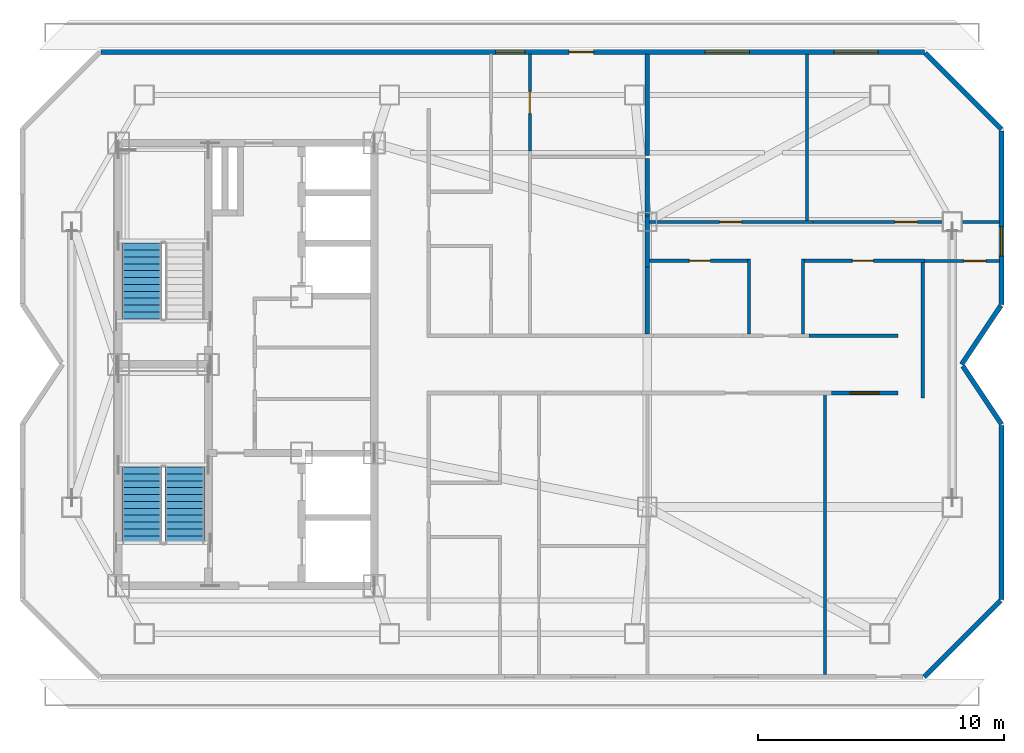
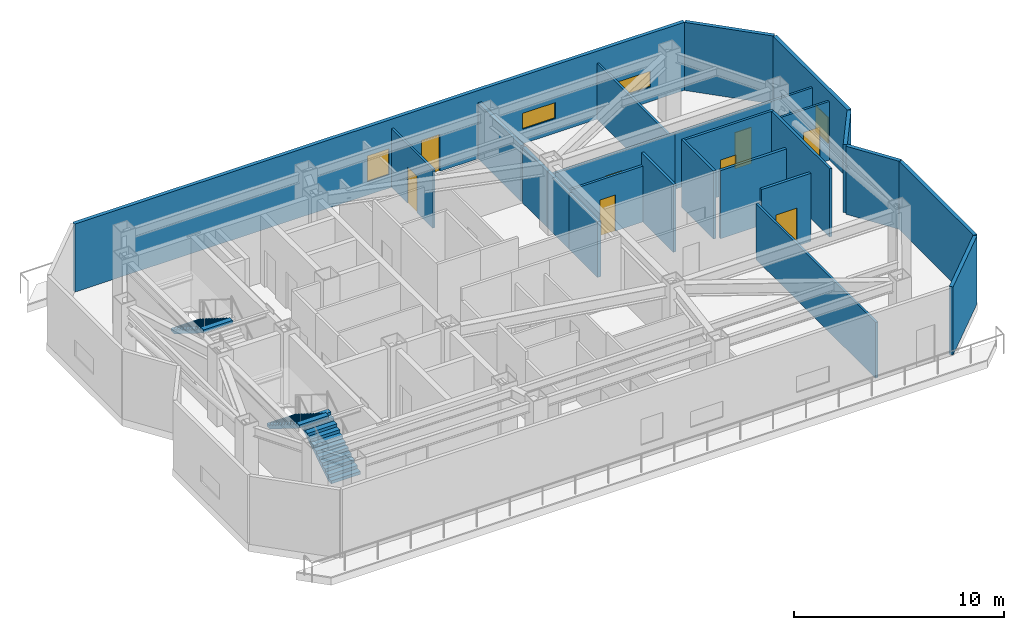
# One storey, part 7 of 12: 24 walls, 8 doors, 4 windows, 3 stair flights, 12 openings, 2 elements without a shape of their own.
"""IFC4 building model written with IfcOpenShell, lengths in metres."""

from ifc_helpers import new_model, si_unit, direction, frame, frame_2d, origin, place, context, subcontext, project, spatial, polyline, rectangle, outline, extrude, material, layer, layer_set, type_object, element, fill, aggregate, save


model = new_model("IFC4")

# Units and contexts
model_context = context("Model", 3, precision=1e-05, world=origin(), true_north=direction((0.0, 1.0)))
body_context = subcontext(model_context, "Body", "Model", "MODEL_VIEW")
ifc_project = project(units=[si_unit("LENGTHUNIT", "METRE"), si_unit("AREAUNIT", "SQUARE_METRE"), si_unit("VOLUMEUNIT", "CUBIC_METRE"), si_unit("PLANEANGLEUNIT", "RADIAN"), si_unit("MASSUNIT", "GRAM", prefix="KILO")], contexts=[model_context])

# Site, building, storey
site_placement = place(None, origin())
site = spatial("IfcSite", under=ifc_project, at=site_placement, CompositionType="ELEMENT")
building_placement = place(site_placement, origin())
building = spatial("IfcBuilding", under=site, at=building_placement, Name="Khamvora Tower", CompositionType="ELEMENT")
storey_placement = place(building_placement, frame((0.0, 0.0, 286.25)))
storey = spatial("IfcBuildingStorey", under=building, at=storey_placement, Name="L73", CompositionType="ELEMENT", Elevation=286.25)

# Wall, opening, door
ifc_material_1 = material(Name="Fire-Rated Drywall and Steel Stud", Category="steel")
ifc_layer_1 = layer(ifc_material_1, 0.14990234375)
ifc_layer_set_1 = layer_set([ifc_layer_1], Name="Fire-Rated Drywall and Steel Stud")
wall_type_1 = type_object("IfcWallType", Name="WAL-CORR-150", PredefinedType="STANDARD", material=ifc_layer_set_1)
wall_1_placement = place(storey_placement, frame((60.68994140625, 26.8349609375, 0.0), z_axis=(0.0, 0.0, 1.0), x_axis=(-1.0, 0.0, 0.0)))
wall_1 = element("IfcWall", 1, at=wall_1_placement, inside=storey, type_object=wall_type_1, Name="L73 interior partition wall 008", PredefinedType="STANDARD", context=body_context, shape_type="SweptSolid", body=[
    extrude(rectangle(XDim=2.7109375, YDim=0.14990234375, at=frame_2d((1.35546875, 0.0))), origin(), (0.0, 0.0, 1.0), 3.949951171875),
])
opening_1_placement = place(wall_1_placement, frame((0.780029296875, 0.0, 0.0)))
opening_1 = element("IfcOpeningElement", 2, at=opening_1_placement, cuts=wall_1, Name="Opening D-SC1", PredefinedType="OPENING", context=body_context, shape_type="SweptSolid", body=[
    extrude(rectangle(XDim=1.14990234375, YDim=2.199951171875, at=frame_2d((0.574951171875, 1.10009765625))), frame((0.0, 0.0849609375, 0.0), z_axis=(0.0, -1.0, 0.0), x_axis=(1.0, 0.0, 0.0)), (0.0, 0.0, 1.0), 0.169921875),
])
ifc_material_2 = material(Name="Powder-Coated Steel and Hardwood Leaf", Category="steel")
door_type_1 = type_object("IfcDoorType", Name="DOR-SCHL-1150", OperationType="NOTDEFINED", PredefinedType="DOOR", material=ifc_material_2)
door_1_placement = place(opening_1_placement, origin())
door_1 = element("IfcDoor", 3, at=door_1_placement, inside=storey, type_object=door_type_1, Name="L73 interior door COR-CLIB", OperationType="SINGLE_SWING_LEFT", OverallHeight=2.199951171875, OverallWidth=1.14990234375, PredefinedType="DOOR", context=body_context, shape_type="SweptSolid", body=[
    extrude(rectangle(XDim=1.14990234375, YDim=2.199951171875, at=frame_2d((0.574951171875, 1.10009765625))), frame((0.0, 0.02490234375, 0.0), z_axis=(0.0, -1.0, 0.0), x_axis=(1.0, 0.0, 0.0)), (0.0, 0.0, 1.0), 0.050048828125),
])
fill(opening_1, door_1)

# Walls
wall_2_placement = place(storey_placement, frame((57.080078125, 29.1650390625, 0.0), z_axis=(0.0, 0.0, 1.0), x_axis=(1.0, 0.0, 0.0)))
element("IfcWall", 4, at=wall_2_placement, inside=storey, type_object=wall_type_1, Name="L73 interior partition wall 023", PredefinedType="STANDARD", context=body_context, shape_type="SweptSolid", body=[
    extrude(rectangle(XDim=3.60986328125, YDim=0.14990234375, at=frame_2d((1.804931640625, 0.0))), origin(), (0.0, 0.0, 1.0), 3.949951171875),
])
ifc_material_3 = material(Name="Acoustic Double-Stud Fire Wall", Category="gypsum")
ifc_layer_2 = layer(ifc_material_3, 0.179931640625)
ifc_layer_set_2 = layer_set([ifc_layer_2], Name="Acoustic Double-Stud Fire Wall")
wall_type_2 = type_object("IfcWallType", Name="WAL-CORR-180", PredefinedType="STANDARD", material=ifc_layer_set_2)
wall_3_placement = place(storey_placement, frame((50.4951171875, 34.031982421875, 0.0), z_axis=(0.0, 0.0, 1.0), x_axis=(0.0, -1.0, 0.0)))
element("IfcWall", 5, at=wall_3_placement, inside=storey, type_object=wall_type_2, Name="L73 interior partition wall 041", PredefinedType="STANDARD", context=body_context, shape_type="SweptSolid", body=[
    extrude(rectangle(XDim=2.069091796875, YDim=0.179931640625, at=frame_2d((1.03466796875, 0.0))), origin(), (0.0, 0.0, 1.0), 3.2451171875),
])
wall_4_placement = place(storey_placement, frame((50.4951171875, 31.962890625, 0.0), z_axis=(0.0, 0.0, 1.0), x_axis=(0.0, -1.0, 0.0)))
element("IfcWall", 6, at=wall_4_placement, inside=storey, type_object=wall_type_2, Name="L73 interior partition wall 042", PredefinedType="STANDARD", context=body_context, shape_type="SweptSolid", body=[
    extrude(rectangle(XDim=2.73291015625, YDim=0.179931640625, at=frame_2d((1.366455078125, 0.0))), origin(), (0.0, 0.0, 1.0), 3.2451171875),
])
wall_5_placement = place(storey_placement, frame((50.4951171875, 36.364990234375, 0.0), z_axis=(0.0, 0.0, 1.0), x_axis=(0.0, -1.0, 0.0)))
element("IfcWall", 7, at=wall_5_placement, inside=storey, type_object=wall_type_2, Name="L73 interior partition wall 043", PredefinedType="STANDARD", context=body_context, shape_type="SweptSolid", body=[
    extrude(rectangle(XDim=2.3330078125, YDim=0.179931640625, at=frame_2d((1.16650390625, 0.0))), origin(), (0.0, 0.0, 1.0), 3.2451171875),
])
wall_6_placement = place(storey_placement, frame((50.4951171875, 40.60791015625, 0.0), z_axis=(0.0, 0.0, 1.0), x_axis=(0.0, -1.0, 0.0)))
element("IfcWall", 8, at=wall_6_placement, inside=storey, type_object=wall_type_2, Name="L73 interior partition wall 044", PredefinedType="STANDARD", context=body_context, shape_type="SweptSolid", body=[
    extrude(rectangle(XDim=4.11279296875, YDim=0.179931640625, at=frame_2d((2.056396484375, 0.0))), origin(), (0.0, 0.0, 1.0), 3.2451171875),
])

# Wall, openings, door, windows
ifc_material_4 = material(Name="Precast concrete C40/50", Category="concrete")
ifc_layer_3 = layer(ifc_material_4, 0.199951171875)
ifc_layer_set_3 = layer_set([ifc_layer_3], Name="Precast concrete C40/50")
wall_type_3 = type_object("IfcWallType", Name="WAL-EXT-200", PredefinedType="STANDARD", material=ifc_layer_set_3)
wall_7_placement = place(storey_placement, frame((28.302001953125, 40.699951171875, 0.0), z_axis=(0.0, 0.0, 1.0), x_axis=(1.0, 0.0, 0.0)))
wall_7 = element("IfcWall", 9, at=wall_7_placement, inside=storey, type_object=wall_type_3, Name="L73 exterior facade wall 07.1", PredefinedType="STANDARD", context=body_context, shape_type="SweptSolid", body=[
    extrude(rectangle(XDim=33.45703125, YDim=0.199951171875, at=frame_2d((16.728515625, 0.0))), origin(), (0.0, 0.0, 1.0), 3.949951171875),
])
opening_2_placement = place(wall_7_placement, frame((19.01708984375, 0.0, 0.0)))
opening_2 = element("IfcOpeningElement", 10, at=opening_2_placement, cuts=wall_7, Name="Opening BD-02", PredefinedType="OPENING", context=body_context, shape_type="SweptSolid", body=[
    extrude(rectangle(XDim=1.0, YDim=2.14990234375, at=frame_2d((0.5, 1.074951171875))), frame((0.0, 0.10986328125, 0.0), z_axis=(0.0, -1.0, 0.0), x_axis=(1.0, 0.0, 0.0)), (0.0, 0.0, 1.0), 0.219970703125),
])
opening_3_placement = place(wall_7_placement, frame((16.032958984375, 0.0, 0.780029296875)))
opening_3 = element("IfcOpeningElement", 11, at=opening_3_placement, cuts=wall_7, Name="Opening WN-03", PredefinedType="OPENING", context=body_context, shape_type="SweptSolid", body=[
    extrude(rectangle(XDim=1.199951171875, YDim=1.5, at=frame_2d((0.60009765625, 0.75))), frame((0.0, 0.10986328125, 0.0), z_axis=(0.0, -1.0, 0.0), x_axis=(1.0, 0.0, 0.0)), (0.0, 0.0, 1.0), 0.219970703125),
])
opening_4_placement = place(wall_7_placement, frame((24.5458984375, 0.0, 0.85009765625)))
opening_4 = element("IfcOpeningElement", 12, at=opening_4_placement, cuts=wall_7, Name="Opening WN-09", PredefinedType="OPENING", context=body_context, shape_type="SweptSolid", body=[
    extrude(rectangle(XDim=1.800048828125, YDim=0.919921875, at=frame_2d((0.89990234375, 0.4599609375))), frame((0.0, 0.10986328125, 0.0), z_axis=(0.0, -1.0, 0.0), x_axis=(1.0, 0.0, 0.0)), (0.0, 0.0, 1.0), 0.219970703125),
])
opening_5_placement = place(wall_7_placement, frame((29.781005859375, 0.0, 0.85009765625)))
opening_5 = element("IfcOpeningElement", 13, at=opening_5_placement, cuts=wall_7, Name="Opening WN-09", PredefinedType="OPENING", context=body_context, shape_type="SweptSolid", body=[
    extrude(rectangle(XDim=1.800048828125, YDim=0.919921875, at=frame_2d((0.89990234375, 0.4599609375))), frame((0.0, 0.10986328125, 0.0), z_axis=(0.0, -1.0, 0.0), x_axis=(1.0, 0.0, 0.0)), (0.0, 0.0, 1.0), 0.219970703125),
])
ifc_material_5 = material(Name="Anodised Aluminium and Laminated Safety Glass", Category="aluminium")
door_type_2 = type_object("IfcDoorType", Name="DOR-BAL-1000", OperationType="NOTDEFINED", PredefinedType="DOOR", material=ifc_material_5)
door_2_placement = place(opening_2_placement, origin())
door_2 = element("IfcDoor", 14, at=door_2_placement, inside=storey, type_object=door_type_2, Name="L73 stepped roof terrace access door N", OperationType="SLIDING_TO_LEFT", OverallHeight=2.14990234375, OverallWidth=1.0, PredefinedType="DOOR", context=body_context, shape_type="SweptSolid", body=[
    extrude(rectangle(XDim=1.0, YDim=2.14990234375, at=frame_2d((0.5, 1.074951171875))), frame((0.0, 0.02490234375, 0.0), z_axis=(0.0, -1.0, 0.0), x_axis=(1.0, 0.0, 0.0)), (0.0, 0.0, 1.0), 0.050048828125),
])
fill(opening_2, door_2)
ifc_material_6 = material(Name="Low-E Laminated Double Glazing", Category="glass")
window_type_1 = type_object("IfcWindowType", Name="WIN-CLR-1800x920", PartitioningType="SINGLE_PANEL", PredefinedType="WINDOW", material=ifc_material_6)
window_1_placement = place(opening_4_placement, origin())
window_1 = element("IfcWindow", 15, at=window_1_placement, inside=storey, type_object=window_type_1, Name="L73 vision window 07.1.02", OverallHeight=0.919921875, OverallWidth=1.800048828125, PartitioningType="SINGLE_PANEL", PredefinedType="WINDOW", context=body_context, shape_type="SweptSolid", body=[
    extrude(rectangle(XDim=1.800048828125, YDim=0.919921875, at=frame_2d((0.89990234375, 0.4599609375))), frame((0.0, 0.030029296875, 0.0), z_axis=(0.0, -1.0, 0.0), x_axis=(1.0, 0.0, 0.0)), (0.0, 0.0, 1.0), 0.06005859375),
])
fill(opening_4, window_1)
window_2_placement = place(opening_5_placement, origin())
window_2 = element("IfcWindow", 16, at=window_2_placement, inside=storey, type_object=window_type_1, Name="L73 vision window 07.1.03", OverallHeight=0.919921875, OverallWidth=1.800048828125, PartitioningType="SINGLE_PANEL", PredefinedType="WINDOW", context=body_context, shape_type="SweptSolid", body=[
    extrude(rectangle(XDim=1.800048828125, YDim=0.919921875, at=frame_2d((0.89990234375, 0.4599609375))), frame((0.0, 0.030029296875, 0.0), z_axis=(0.0, -1.0, 0.0), x_axis=(1.0, 0.0, 0.0)), (0.0, 0.0, 1.0), 0.06005859375),
])
fill(opening_5, window_2)
window_type_2 = type_object("IfcWindowType", Name="WIN-VIS-1200x1500", PartitioningType="SINGLE_PANEL", PredefinedType="WINDOW", material=ifc_material_6)
window_3_placement = place(opening_3_placement, origin())
window_3 = element("IfcWindow", 17, at=window_3_placement, inside=storey, type_object=window_type_2, Name="L73 vision window 07.1.01", OverallHeight=1.5, OverallWidth=1.199951171875, PartitioningType="SINGLE_PANEL", PredefinedType="WINDOW", context=body_context, shape_type="SweptSolid", body=[
    extrude(rectangle(XDim=1.199951171875, YDim=1.5, at=frame_2d((0.60009765625, 0.75))), frame((0.0, 0.030029296875, 0.0), z_axis=(0.0, -1.0, 0.0), x_axis=(1.0, 0.0, 0.0)), (0.0, 0.0, 1.0), 0.06005859375),
])
fill(opening_3, window_3)

# Wall
wall_8_placement = place(storey_placement, frame((61.802978515625, 40.656005859375, 0.0), z_axis=(0.0, 0.0, 1.0), x_axis=(0.707106781187, -0.707106781187, 0.0)))
element("IfcWall", 18, at=wall_8_placement, inside=storey, type_object=wall_type_3, Name="L73 exterior facade wall 08.1", PredefinedType="STANDARD", context=body_context, shape_type="SweptSolid", body=[
    extrude(rectangle(XDim=4.379638671875, YDim=0.199951171875, at=frame_2d((2.18994140625, 0.0))), origin(), (0.0, 0.0, 1.0), 3.949951171875),
])

# Wall, opening, window
wall_9_placement = place(storey_placement, frame((64.89990234375, 37.4970703125, 0.0), z_axis=(0.0, 0.0, 1.0), x_axis=(0.0, -1.0, 0.0)))
wall_9 = element("IfcWall", 19, at=wall_9_placement, inside=storey, type_object=wall_type_3, Name="L73 exterior facade wall 09.1", PredefinedType="STANDARD", context=body_context, shape_type="SweptSolid", body=[
    extrude(rectangle(XDim=7.067138671875, YDim=0.199951171875, at=frame_2d((3.53369140625, 0.0))), origin(), (0.0, 0.0, 1.0), 3.949951171875),
])
opening_6_placement = place(wall_9_placement, frame((3.89892578125, 0.0, 0.780029296875)))
opening_6 = element("IfcOpeningElement", 20, at=opening_6_placement, cuts=wall_9, Name="Opening WN-03", PredefinedType="OPENING", context=body_context, shape_type="SweptSolid", body=[
    extrude(rectangle(XDim=1.199951171875, YDim=1.5, at=frame_2d((0.60009765625, 0.75))), frame((0.0, 0.10986328125, 0.0), z_axis=(0.0, -1.0, 0.0), x_axis=(1.0, 0.0, 0.0)), (0.0, 0.0, 1.0), 0.219970703125),
])
window_4_placement = place(opening_6_placement, origin())
window_4 = element("IfcWindow", 21, at=window_4_placement, inside=storey, type_object=window_type_2, Name="L73 vision window 09.1.01", OverallHeight=1.5, OverallWidth=1.199951171875, PartitioningType="SINGLE_PANEL", PredefinedType="WINDOW", context=body_context, shape_type="SweptSolid", body=[
    extrude(rectangle(XDim=1.199951171875, YDim=1.5, at=frame_2d((0.60009765625, 0.75))), frame((0.0, 0.030029296875, 0.0), z_axis=(0.0, -1.0, 0.0), x_axis=(1.0, 0.0, 0.0)), (0.0, 0.0, 1.0), 0.06005859375),
])
fill(opening_6, window_4)

# Walls
wall_10_placement = place(storey_placement, frame((64.875, 30.39208984375, 0.0), z_axis=(0.0, 0.0, 1.0), x_axis=(-0.554758983133, -0.832011100066, 0.0)))
element("IfcWall", 22, at=wall_10_placement, inside=storey, type_object=wall_type_3, Name="L73 exterior facade wall 10.1", PredefinedType="STANDARD", context=body_context, shape_type="SweptSolid", body=[
    extrude(rectangle(XDim=2.875, YDim=0.199951171875, at=frame_2d((1.4375, 0.0))), origin(), (0.0, 0.0, 1.0), 3.949951171875),
])
wall_11_placement = place(storey_placement, frame((63.325927734375, 27.930908203125, 0.0), z_axis=(0.0, 0.0, 1.0), x_axis=(0.554720052174, -0.832037056696, 0.0)))
element("IfcWall", 23, at=wall_11_placement, inside=storey, type_object=wall_type_3, Name="L73 exterior facade wall 11.1", PredefinedType="STANDARD", context=body_context, shape_type="SweptSolid", body=[
    extrude(rectangle(XDim=2.83740234375, YDim=0.199951171875, at=frame_2d((1.418701171875, 0.0))), origin(), (0.0, 0.0, 1.0), 3.949951171875),
])
wall_12_placement = place(storey_placement, frame((64.89990234375, 25.52392578125, 0.0), z_axis=(0.0, 0.0, 1.0), x_axis=(0.0, -1.0, 0.0)))
element("IfcWall", 24, at=wall_12_placement, inside=storey, type_object=wall_type_3, Name="L73 exterior facade wall 12.1", PredefinedType="STANDARD", context=body_context, shape_type="SweptSolid", body=[
    extrude(rectangle(XDim=7.0830078125, YDim=0.199951171875, at=frame_2d((3.54150390625, 0.0))), origin(), (0.0, 0.0, 1.0), 3.949951171875),
])
wall_13_placement = place(storey_placement, frame((64.85498046875, 18.39599609375, 0.0), z_axis=(0.0, 0.0, 1.0), x_axis=(-0.707106781187, -0.707106781187, 0.0)))
element("IfcWall", 25, at=wall_13_placement, inside=storey, type_object=wall_type_3, Name="L73 exterior facade wall 13.1", PredefinedType="STANDARD", context=body_context, shape_type="SweptSolid", body=[
    extrude(rectangle(XDim=4.37841796875, YDim=0.199951171875, at=frame_2d((2.189208984375, 0.0))), origin(), (0.0, 0.0, 1.0), 3.949951171875),
])
ifc_material_7 = material(Name="Gypsum Plasterboard Partition", Category="gypsum")
ifc_layer_4 = layer(ifc_material_7, 0.1201171875)
ifc_layer_set_4 = layer_set([ifc_layer_4], Name="Gypsum Plasterboard Partition")
wall_type_4 = type_object("IfcWallType", Name="WAL-PART-120", PredefinedType="PARTITIONING", material=ifc_layer_set_4)
wall_14_placement = place(storey_placement, frame((57.72998046875, 26.77001953125, 0.0), z_axis=(0.0, 0.0, 1.0), x_axis=(0.0, -1.0, 0.0)))
element("IfcWall", 26, at=wall_14_placement, inside=storey, type_object=wall_type_4, Name="L73 interior partition wall 024", PredefinedType="PARTITIONING", context=body_context, shape_type="SweptSolid", body=[
    extrude(rectangle(XDim=11.3779296875, YDim=0.1201171875, at=frame_2d((5.68896484375, 0.0))), origin(), (0.0, 0.0, 1.0), 3.2451171875),
])

# Wall, opening, door
wall_15_placement = place(storey_placement, frame((45.72509765625, 40.60791015625, 0.0), z_axis=(0.0, 0.0, 1.0), x_axis=(0.0, -1.0, 0.0)))
wall_15 = element("IfcWall", 27, at=wall_15_placement, inside=storey, type_object=wall_type_4, Name="L73 interior partition wall 039", PredefinedType="PARTITIONING", context=body_context, shape_type="SweptSolid", body=[
    extrude(rectangle(XDim=3.928955078125, YDim=0.1201171875, at=frame_2d((1.96435546875, 0.0))), origin(), (0.0, 0.0, 1.0), 3.406982421875),
])
opening_7_placement = place(wall_15_placement, frame((1.513916015625, 0.0, 0.0)))
opening_7 = element("IfcOpeningElement", 28, at=opening_7_placement, cuts=wall_15, Name="Opening D-RM1", PredefinedType="OPENING", context=body_context, shape_type="SweptSolid", body=[
    extrude(rectangle(XDim=0.89990234375, YDim=2.10009765625, at=frame_2d((0.449951171875, 1.050048828125))), frame((0.0, 0.070068359375, 0.0), z_axis=(0.0, -1.0, 0.0), x_axis=(1.0, 0.0, 0.0)), (0.0, 0.0, 1.0), 0.14013671875),
])
door_type_3 = type_object("IfcDoorType", Name="DOR-ROOM-900", OperationType="NOTDEFINED", PredefinedType="DOOR", material=ifc_material_2)
door_3_placement = place(opening_7_placement, origin())
door_3 = element("IfcDoor", 29, at=door_3_placement, inside=storey, type_object=door_type_3, Name="L73 interior door 73CH-73CR2", OperationType="SINGLE_SWING_RIGHT", OverallHeight=2.10009765625, OverallWidth=0.89990234375, PredefinedType="DOOR", context=body_context, shape_type="SweptSolid", body=[
    extrude(rectangle(XDim=0.89990234375, YDim=2.10009765625, at=frame_2d((0.449951171875, 1.050048828125))), frame((0.0, 0.02490234375, 0.0), z_axis=(0.0, -1.0, 0.0), x_axis=(1.0, 0.0, 0.0)), (0.0, 0.0, 1.0), 0.050048828125),
])
fill(opening_7, door_3)

wall_16_placement = place(storey_placement, frame((61.760986328125, 32.2080078125, 0.0), z_axis=(0.0, 0.0, 1.0), x_axis=(1.0, 0.0, 0.0)))
wall_16 = element("IfcWall", 30, at=wall_16_placement, inside=storey, type_object=wall_type_4, Name="L73 interior partition wall 045", PredefinedType="PARTITIONING", context=body_context, shape_type="SweptSolid", body=[
    extrude(rectangle(XDim=3.047119140625, YDim=0.1201171875, at=frame_2d((1.5234375, 0.0))), origin(), (0.0, 0.0, 1.0), 3.406982421875),
])
opening_8_placement = place(wall_16_placement, frame((1.616943359375, 0.0, 0.0)))
opening_8 = element("IfcOpeningElement", 31, at=opening_8_placement, cuts=wall_16, Name="Opening D-RM1", PredefinedType="OPENING", context=body_context, shape_type="SweptSolid", body=[
    extrude(rectangle(XDim=0.89990234375, YDim=2.10009765625, at=frame_2d((0.449951171875, 1.050048828125))), frame((0.0, 0.070068359375, 0.0), z_axis=(0.0, -1.0, 0.0), x_axis=(1.0, 0.0, 0.0)), (0.0, 0.0, 1.0), 0.14013671875),
])
door_4_placement = place(opening_8_placement, origin())
door_4 = element("IfcDoor", 32, at=door_4_placement, inside=storey, type_object=door_type_3, Name="L73 interior door 73DW2-73DH", OperationType="SINGLE_SWING_LEFT", OverallHeight=2.10009765625, OverallWidth=0.89990234375, PredefinedType="DOOR", context=body_context, shape_type="SweptSolid", body=[
    extrude(rectangle(XDim=0.89990234375, YDim=2.10009765625, at=frame_2d((0.449951171875, 1.050048828125))), frame((0.0, 0.02490234375, 0.0), z_axis=(0.0, -1.0, 0.0), x_axis=(1.0, 0.0, 0.0)), (0.0, 0.0, 1.0), 0.050048828125),
])
fill(opening_8, door_4)

wall_17_placement = place(storey_placement, frame((50.576904296875, 33.7880859375, 0.0), z_axis=(0.0, 0.0, 1.0), x_axis=(1.0, 0.0, 0.0)))
wall_17 = element("IfcWall", 33, at=wall_17_placement, inside=storey, type_object=wall_type_4, Name="L73 interior partition wall 051", PredefinedType="PARTITIONING", context=body_context, shape_type="SweptSolid", body=[
    extrude(rectangle(XDim=6.6640625, YDim=0.1201171875, at=frame_2d((3.33203125, 0.0))), origin(), (0.0, 0.0, 1.0), 3.2451171875),
])
opening_9_placement = place(wall_17_placement, frame((2.861083984375, 0.0, 0.0)))
opening_9 = element("IfcOpeningElement", 34, at=opening_9_placement, cuts=wall_17, Name="Opening D-RM1", PredefinedType="OPENING", context=body_context, shape_type="SweptSolid", body=[
    extrude(rectangle(XDim=0.89990234375, YDim=2.10009765625, at=frame_2d((0.449951171875, 1.050048828125))), frame((0.0, 0.070068359375, 0.0), z_axis=(0.0, -1.0, 0.0), x_axis=(1.0, 0.0, 0.0)), (0.0, 0.0, 1.0), 0.14013671875),
])
door_5_placement = place(opening_9_placement, origin())
door_5 = element("IfcDoor", 35, at=door_5_placement, inside=storey, type_object=door_type_3, Name="L73 interior door 73DH-73DR1", OperationType="SINGLE_SWING_RIGHT", OverallHeight=2.10009765625, OverallWidth=0.89990234375, PredefinedType="DOOR", context=body_context, shape_type="SweptSolid", body=[
    extrude(rectangle(XDim=0.89990234375, YDim=2.10009765625, at=frame_2d((0.449951171875, 1.050048828125))), frame((0.0, 0.02490234375, 0.0), z_axis=(0.0, -1.0, 0.0), x_axis=(1.0, 0.0, 0.0)), (0.0, 0.0, 1.0), 0.050048828125),
])
fill(opening_9, door_5)

wall_18_placement = place(storey_placement, frame((57.240966796875, 33.7880859375, 0.0), z_axis=(0.0, 0.0, 1.0), x_axis=(1.0, 0.0, 0.0)))
wall_18 = element("IfcWall", 36, at=wall_18_placement, inside=storey, type_object=wall_type_4, Name="L73 interior partition wall 052", PredefinedType="PARTITIONING", context=body_context, shape_type="SweptSolid", body=[
    extrude(rectangle(XDim=7.567138671875, YDim=0.1201171875, at=frame_2d((3.78369140625, 0.0))), origin(), (0.0, 0.0, 1.0), 3.2451171875),
])
opening_10_placement = place(wall_18_placement, frame((3.3330078125, 0.0, 0.0)))
opening_10 = element("IfcOpeningElement", 37, at=opening_10_placement, cuts=wall_18, Name="Opening D-RM1", PredefinedType="OPENING", context=body_context, shape_type="SweptSolid", body=[
    extrude(rectangle(XDim=0.89990234375, YDim=2.10009765625, at=frame_2d((0.449951171875, 1.050048828125))), frame((0.0, 0.070068359375, 0.0), z_axis=(0.0, -1.0, 0.0), x_axis=(1.0, 0.0, 0.0)), (0.0, 0.0, 1.0), 0.14013671875),
])
door_6_placement = place(opening_10_placement, origin())
door_6 = element("IfcDoor", 38, at=door_6_placement, inside=storey, type_object=door_type_3, Name="L73 interior door 73DH-73DR2", OperationType="SINGLE_SWING_LEFT", OverallHeight=2.10009765625, OverallWidth=0.89990234375, PredefinedType="DOOR", context=body_context, shape_type="SweptSolid", body=[
    extrude(rectangle(XDim=0.89990234375, YDim=2.10009765625, at=frame_2d((0.449951171875, 1.050048828125))), frame((0.0, 0.02490234375, 0.0), z_axis=(0.0, -1.0, 0.0), x_axis=(1.0, 0.0, 0.0)), (0.0, 0.0, 1.0), 0.050048828125),
])
fill(opening_10, door_6)

# Walls
wall_19_placement = place(storey_placement, frame((56.991943359375, 40.60791015625, 0.0), z_axis=(0.0, 0.0, 1.0), x_axis=(0.0, -1.0, 0.0)))
element("IfcWall", 39, at=wall_19_placement, inside=storey, type_object=wall_type_4, Name="L73 interior partition wall 053", PredefinedType="PARTITIONING", context=body_context, shape_type="SweptSolid", body=[
    extrude(rectangle(XDim=6.765869140625, YDim=0.1201171875, at=frame_2d((3.3828125, 0.0))), origin(), (0.0, 0.0, 1.0), 3.2451171875),
])
ifc_material_8 = material(Name="Moisture-Resistant Plasterboard Partition", Category="gypsum")
ifc_layer_5 = layer(ifc_material_8, 0.135009765625)
ifc_layer_set_5 = layer_set([ifc_layer_5], Name="Moisture-Resistant Plasterboard Partition")
wall_type_5 = type_object("IfcWallType", Name="WAL-WET-135", PredefinedType="PARTITIONING", material=ifc_layer_set_5)
wall_20_placement = place(storey_placement, frame((61.696044921875, 26.6298828125, 0.0), z_axis=(0.0, 0.0, 1.0), x_axis=(0.0, 1.0, 0.0)))
element("IfcWall", 40, at=wall_20_placement, inside=storey, type_object=wall_type_5, Name="L73 interior partition wall 046", PredefinedType="PARTITIONING", context=body_context, shape_type="SweptSolid", body=[
    extrude(rectangle(XDim=5.51318359375, YDim=0.135009765625, at=frame_2d((2.756591796875, 0.0))), origin(), (0.0, 0.0, 1.0), 3.949951171875),
])
wall_21_placement = place(storey_placement, frame((54.631103515625, 29.22998046875, 0.0), z_axis=(0.0, 0.0, 1.0), x_axis=(0.0, 1.0, 0.0)))
element("IfcWall", 41, at=wall_21_placement, inside=storey, type_object=wall_type_5, Name="L73 interior partition wall 047", PredefinedType="PARTITIONING", context=body_context, shape_type="SweptSolid", body=[
    extrude(rectangle(XDim=3.04296875, YDim=0.135009765625, at=frame_2d((1.521484375, 0.0))), origin(), (0.0, 0.0, 1.0), 3.949951171875),
])

# Wall, opening, door
wall_22_placement = place(storey_placement, frame((54.696044921875, 32.2080078125, 0.0), z_axis=(0.0, 0.0, 1.0), x_axis=(-1.0, 0.0, 0.0)))
wall_22 = element("IfcWall", 42, at=wall_22_placement, inside=storey, type_object=wall_type_5, Name="L73 interior partition wall 048", PredefinedType="PARTITIONING", context=body_context, shape_type="SweptSolid", body=[
    extrude(rectangle(XDim=4.119140625, YDim=0.135009765625, at=frame_2d((2.0595703125, 0.0))), origin(), (0.0, 0.0, 1.0), 3.2451171875),
])
opening_11_placement = place(wall_22_placement, frame((1.634033203125, 0.0, 0.0)))
opening_11 = element("IfcOpeningElement", 43, at=opening_11_placement, cuts=wall_22, Name="Opening D-WC1", PredefinedType="OPENING", context=body_context, shape_type="SweptSolid", body=[
    extrude(rectangle(XDim=0.85009765625, YDim=2.10009765625, at=frame_2d((0.425048828125, 1.050048828125))), frame((0.0, 0.077392578125, 0.0), z_axis=(0.0, -1.0, 0.0), x_axis=(1.0, 0.0, 0.0)), (0.0, 0.0, 1.0), 0.155029296875),
])
door_type_4 = type_object("IfcDoorType", Name="DOR-WET-850", OperationType="NOTDEFINED", PredefinedType="DOOR", material=ifc_material_2)
door_7_placement = place(opening_11_placement, origin())
door_7 = element("IfcDoor", 44, at=door_7_placement, inside=storey, type_object=door_type_4, Name="L73 interior door 73DH-73DB", OperationType="SINGLE_SWING_RIGHT", OverallHeight=2.10009765625, OverallWidth=0.85009765625, PredefinedType="DOOR", context=body_context, shape_type="SweptSolid", body=[
    extrude(rectangle(XDim=0.85009765625, YDim=2.10009765625, at=frame_2d((0.425048828125, 1.050048828125))), frame((0.0, 0.02490234375, 0.0), z_axis=(0.0, -1.0, 0.0), x_axis=(1.0, 0.0, 0.0)), (0.0, 0.0, 1.0), 0.050048828125),
])
fill(opening_11, door_7)

wall_23_placement = place(storey_placement, frame((61.760986328125, 32.2080078125, 0.0), z_axis=(0.0, 0.0, 1.0), x_axis=(-1.0, 0.0, 0.0)))
wall_23 = element("IfcWall", 45, at=wall_23_placement, inside=storey, type_object=wall_type_5, Name="L73 interior partition wall 049", PredefinedType="PARTITIONING", context=body_context, shape_type="SweptSolid", body=[
    extrude(rectangle(XDim=4.994873046875, YDim=0.135009765625, at=frame_2d((2.49755859375, 0.0))), origin(), (0.0, 0.0, 1.0), 3.949951171875),
])
opening_12_placement = place(wall_23_placement, frame((2.072998046875, 0.0, 0.0)))
opening_12 = element("IfcOpeningElement", 46, at=opening_12_placement, cuts=wall_23, Name="Opening D-RM2", PredefinedType="OPENING", context=body_context, shape_type="SweptSolid", body=[
    extrude(rectangle(XDim=0.85009765625, YDim=2.10009765625, at=frame_2d((0.425048828125, 1.050048828125))), frame((0.0, 0.077392578125, 0.0), z_axis=(0.0, -1.0, 0.0), x_axis=(1.0, 0.0, 0.0)), (0.0, 0.0, 1.0), 0.155029296875),
])
door_type_5 = type_object("IfcDoorType", Name="DOR-ROOM-850", OperationType="NOTDEFINED", PredefinedType="DOOR", material=ifc_material_2)
door_8_placement = place(opening_12_placement, origin())
door_8 = element("IfcDoor", 47, at=door_8_placement, inside=storey, type_object=door_type_5, Name="L73 interior door 73DH-73DK", OperationType="SINGLE_SWING_LEFT", OverallHeight=2.10009765625, OverallWidth=0.85009765625, PredefinedType="DOOR", context=body_context, shape_type="SweptSolid", body=[
    extrude(rectangle(XDim=0.85009765625, YDim=2.10009765625, at=frame_2d((0.425048828125, 1.050048828125))), frame((0.0, 0.02490234375, 0.0), z_axis=(0.0, -1.0, 0.0), x_axis=(1.0, 0.0, 0.0)), (0.0, 0.0, 1.0), 0.050048828125),
])
fill(opening_12, door_8)

# Wall
wall_24_placement = place(storey_placement, frame((56.8310546875, 32.27294921875, 0.0), z_axis=(0.0, 0.0, 1.0), x_axis=(0.0, -1.0, 0.0)))
element("IfcWall", 48, at=wall_24_placement, inside=storey, type_object=wall_type_5, Name="L73 interior partition wall 050", PredefinedType="PARTITIONING", context=body_context, shape_type="SweptSolid", body=[
    extrude(rectangle(XDim=3.04296875, YDim=0.135009765625, at=frame_2d((1.521484375, 0.0))), origin(), (0.0, 0.0, 1.0), 3.949951171875),
])

# Stair, stair flights
ifc_material_9 = material(Name="Concrete C40/50", Category="concrete")
stair_type_1 = type_object("IfcStairType", Name="STR-ST-01", PredefinedType="HALF_TURN_STAIR", material=ifc_material_9)
stair_1_placement = place(storey_placement, origin())
stair_1 = element("IfcStair", 49, at=stair_1_placement, inside=storey, type_object=stair_type_1, Name="L73 South Tower Exit Stair ST-01", PredefinedType="HALF_TURN_STAIR")
stair_flight_type_1 = type_object("IfcStairFlightType", Name="STF-ST-01", PredefinedType="STRAIGHT", material=ifc_material_9)
stair_flight_1_placement = place(storey_placement, frame((31.699951171875, 20.75, 0.0), z_axis=(0.0, 0.0, 1.0), x_axis=(0.0, 1.0, 0.0)))
stair_flight_1 = element("IfcStairFlight", 50, at=stair_flight_1_placement, type_object=stair_flight_type_1, Name="ST-01 flight 1", NumberOfRisers=12, NumberOfTreads=11, PredefinedType="STRAIGHT", RiserHeight=0.175, TreadLength=0.28, context=body_context, shape_type="SweptSolid", body=[
    extrude(outline(polyline([(0.0, 0.0), (0.0, 0.175048828125), (0.280029296875, 0.175048828125), (0.280029296875, 0.35009765625), (0.56005859375, 0.35009765625), (0.56005859375, 0.52490234375), (0.840087890625, 0.52490234375), (0.840087890625, 0.699951171875), (1.1201171875, 0.699951171875), (1.1201171875, 0.875), (1.39990234375, 0.875), (1.39990234375, 1.050048828125), (1.679931640625, 1.050048828125), (1.679931640625, 1.22509765625), (1.9599609375, 1.22509765625), (1.9599609375, 1.39990234375), (2.239990234375, 1.39990234375), (2.239990234375, 1.574951171875), (2.52001953125, 1.574951171875), (2.52001953125, 1.75), (2.800048828125, 1.75), (2.800048828125, 1.925048828125), (3.080078125, 1.925048828125), (3.080078125, 2.10009765625), (3.080078125, 1.748291015625), (0.28271484375, 0.0), (0.0, 0.0)])), frame((0.0, 0.800048828125, 0.0), z_axis=(0.0, -1.0, 0.0), x_axis=(1.0, 0.0, 0.0)), (0.0, 0.0, 1.0), 1.60009765625),
])
stair_flight_2_placement = place(storey_placement, frame((29.949951171875, 23.830078125, 2.10009765625), z_axis=(0.0, 0.0, 1.0), x_axis=(0.0, -1.0, 0.0)))
stair_flight_2 = element("IfcStairFlight", 51, at=stair_flight_2_placement, type_object=stair_flight_type_1, Name="ST-01 flight 2", NumberOfRisers=12, NumberOfTreads=11, PredefinedType="STRAIGHT", RiserHeight=0.175, TreadLength=0.28, context=body_context, shape_type="SweptSolid", body=[
    extrude(outline(polyline([(0.0, 0.0), (0.0, 0.175048828125), (0.280029296875, 0.175048828125), (0.280029296875, 0.35009765625), (0.56005859375, 0.35009765625), (0.56005859375, 0.52490234375), (0.840087890625, 0.52490234375), (0.840087890625, 0.699951171875), (1.1201171875, 0.699951171875), (1.1201171875, 0.875), (1.39990234375, 0.875), (1.39990234375, 1.050048828125), (1.679931640625, 1.050048828125), (1.679931640625, 1.22509765625), (1.9599609375, 1.22509765625), (1.9599609375, 1.39990234375), (2.239990234375, 1.39990234375), (2.239990234375, 1.574951171875), (2.52001953125, 1.574951171875), (2.52001953125, 1.75), (2.800048828125, 1.75), (2.800048828125, 1.925048828125), (3.080078125, 1.925048828125), (3.080078125, 2.10009765625), (3.080078125, 1.748291015625), (0.28271484375, 0.0), (0.0, 0.0)])), frame((0.0, 0.800048828125, 0.0), z_axis=(0.0, -1.0, 0.0), x_axis=(1.0, 0.0, 0.0)), (0.0, 0.0, 1.0), 1.60009765625),
])
aggregate(stair_1, [stair_flight_1, stair_flight_2])

# Stair, stair flight
stair_type_2 = type_object("IfcStairType", Name="STR-ST-02", PredefinedType="HALF_TURN_STAIR", material=ifc_material_9)
stair_2_placement = place(storey_placement, origin())
stair_2 = element("IfcStair", 52, at=stair_2_placement, inside=storey, type_object=stair_type_2, Name="L73 North Tower Exit Stair ST-02", PredefinedType="HALF_TURN_STAIR")
stair_flight_type_2 = type_object("IfcStairFlightType", Name="STF-ST-02", PredefinedType="STRAIGHT", material=ifc_material_9)
stair_flight_3_placement = place(storey_placement, frame((29.949951171875, 32.929931640625, 2.10009765625), z_axis=(0.0, 0.0, 1.0), x_axis=(0.0, -1.0, 0.0)))
stair_flight_3 = element("IfcStairFlight", 53, at=stair_flight_3_placement, type_object=stair_flight_type_2, Name="ST-02 flight 2", NumberOfRisers=12, NumberOfTreads=11, PredefinedType="STRAIGHT", RiserHeight=0.175, TreadLength=0.28, context=body_context, shape_type="SweptSolid", body=[
    extrude(outline(polyline([(0.0, 0.0), (0.0, 0.175048828125), (0.280029296875, 0.175048828125), (0.280029296875, 0.35009765625), (0.56005859375, 0.35009765625), (0.56005859375, 0.52490234375), (0.840087890625, 0.52490234375), (0.840087890625, 0.699951171875), (1.1201171875, 0.699951171875), (1.1201171875, 0.875), (1.39990234375, 0.875), (1.39990234375, 1.050048828125), (1.679931640625, 1.050048828125), (1.679931640625, 1.22509765625), (1.9599609375, 1.22509765625), (1.9599609375, 1.39990234375), (2.239990234375, 1.39990234375), (2.239990234375, 1.574951171875), (2.52001953125, 1.574951171875), (2.52001953125, 1.75), (2.800048828125, 1.75), (2.800048828125, 1.925048828125), (3.080078125, 1.925048828125), (3.080078125, 2.10009765625), (3.080078125, 1.748291015625), (0.28271484375, 0.0), (0.0, 0.0)])), frame((0.0, 0.800048828125, 0.0), z_axis=(0.0, -1.0, 0.0), x_axis=(1.0, 0.0, 0.0)), (0.0, 0.0, 1.0), 1.60009765625),
])
aggregate(stair_2, [stair_flight_3])

save(model, "model.ifc")
